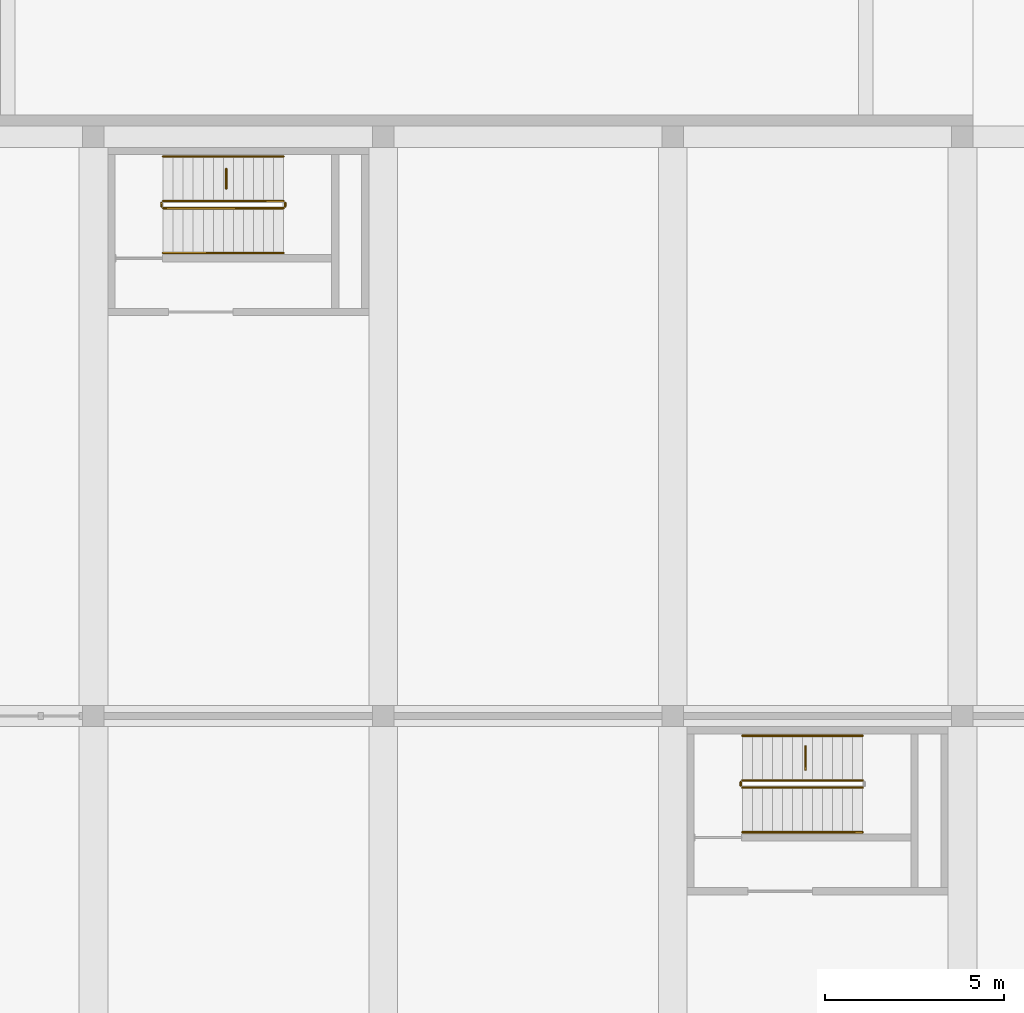
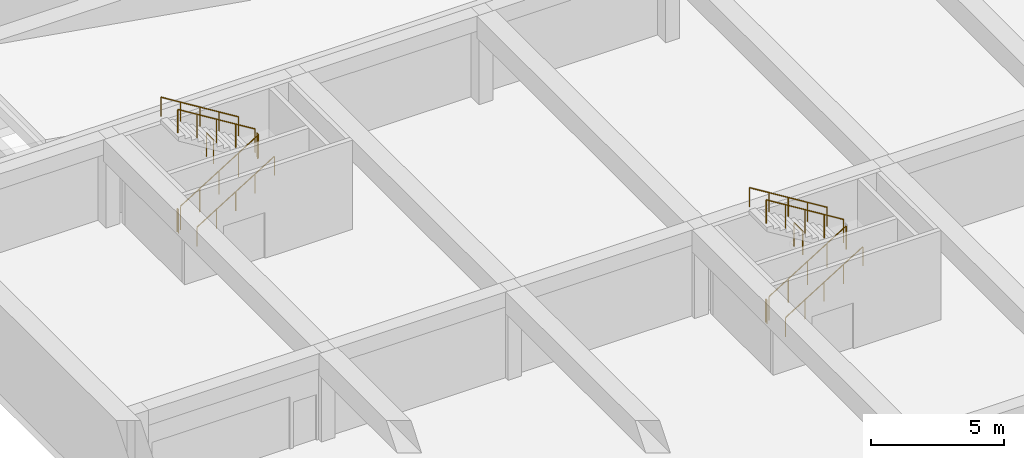
# One storey, part 16 of 21: 13 railings.
"""IFC4 building model written with IfcOpenShell, lengths in metres."""

from ifc_helpers import new_model, si_unit, direction, frame, origin, origin_2d, place, context, subcontext, project, spatial, circle, extrude, material, type_object, element, save


model = new_model("IFC4")

# Units and contexts
model_context = context("Model", 3, precision=1e-05, world=origin(), true_north=direction((0.0, 1.0)))
body_context = subcontext(model_context, "Body", "Model", "MODEL_VIEW")
ifc_project = project(units=[si_unit("LENGTHUNIT", "METRE"), si_unit("AREAUNIT", "SQUARE_METRE"), si_unit("VOLUMEUNIT", "CUBIC_METRE"), si_unit("PLANEANGLEUNIT", "RADIAN"), si_unit("MASSUNIT", "GRAM", prefix="KILO")], contexts=[model_context])

# Site, building, storey
site_placement = place(None, origin())
site = spatial("IfcSite", under=ifc_project, at=site_placement, CompositionType="ELEMENT")
building_placement = place(site_placement, origin())
building = spatial("IfcBuilding", under=site, at=building_placement, Name="Stone Belt Terrace Tower", CompositionType="ELEMENT")
storey_placement = place(building_placement, frame((0.0, 0.0, -9.0)))
storey = spatial("IfcBuildingStorey", under=building, at=storey_placement, Name="B2", CompositionType="ELEMENT", Elevation=-9.0)

# Railings
ifc_material_1 = material(Name="Structural steel C345", Category="steel")
railing_type_1 = type_object("IfcRailingType", Name="Car park guard 1100", PredefinedType="GUARDRAIL", material=ifc_material_1)
railing_1_placement = place(storey_placement, frame((-22.35009765625, -3.800048828125, 0.173095703125)))
element("IfcRailing", 1, at=railing_1_placement, inside=storey, type_object=railing_type_1, Name="B2 CS3 stair guard 1", PredefinedType="GUARDRAIL", context=body_context, shape_type="SweptSolid", body=[
    extrude(circle(Radius=0.02392578125, at=origin_2d()), frame((0.0, 0.0, 1.076171875), z_axis=(0.850623216509, 0.0, 0.525775754039), x_axis=(0.0, 1.0, 0.0)), (0.0, 0.0, 1.0), 3.9501953125),
    extrude(circle(Radius=0.02099609375, at=origin_2d()), origin(), (0.0, 0.0, 1.0), 1.052001953125),
    extrude(circle(Radius=0.02099609375, at=origin_2d()), frame((0.840087890625, 0.0, 0.519287109375)), (0.0, 0.0, 1.0), 1.052001953125),
    extrude(circle(Radius=0.02099609375, at=origin_2d()), frame((1.68017578125, 0.0, 1.03857421875)), (0.0, 0.0, 1.0), 1.052001953125),
    extrude(circle(Radius=0.02099609375, at=origin_2d()), frame((2.52001953125, 0.0, 1.5576171875)), (0.0, 0.0, 1.0), 1.052001953125),
    extrude(circle(Radius=0.02099609375, at=origin_2d()), frame((3.360107421875, 0.0, 2.076904296875)), (0.0, 0.0, 1.0), 1.052001953125),
])
railing_2_placement = place(storey_placement, frame((-18.93994140625, -3.75, 2.25)))
element("IfcRailing", 2, at=railing_2_placement, inside=storey, type_object=railing_type_1, Name="B2 CS3 stair guard 2", PredefinedType="GUARDRAIL", context=body_context, shape_type="SweptSolid", body=[
    extrude(circle(Radius=0.02392578125, at=origin_2d()), frame((0.0, 0.0, 1.076171875), z_axis=(0.0, 1.0, 0.0), x_axis=(-1.0, 0.0, 0.0)), (0.0, 0.0, 1.0), 0.10009765625),
    extrude(circle(Radius=0.02099609375, at=origin_2d()), origin(), (0.0, 0.0, 1.0), 1.052001953125),
    extrude(circle(Radius=0.02099609375, at=origin_2d()), frame((0.0, 0.10009765625, 0.0)), (0.0, 0.0, 1.0), 1.052001953125),
])
railing_3_placement = place(storey_placement, frame((-18.989990234375, -3.60009765625, 2.423095703125)))
element("IfcRailing", 3, at=railing_3_placement, inside=storey, type_object=railing_type_1, Name="B2 CS3 stair guard 3", PredefinedType="GUARDRAIL", context=body_context, shape_type="SweptSolid", body=[
    extrude(circle(Radius=0.02392578125, at=origin_2d()), frame((0.0, 0.0, 1.076171875), z_axis=(-0.850623216509, 0.0, 0.525775754039), x_axis=(0.0, -1.0, 0.0)), (0.0, 0.0, 1.0), 3.9501953125),
    extrude(circle(Radius=0.02099609375, at=origin_2d()), origin(), (0.0, 0.0, 1.0), 1.052001953125),
    extrude(circle(Radius=0.02099609375, at=origin_2d()), frame((-0.840087890625, 0.0, 0.519287109375)), (0.0, 0.0, 1.0), 1.052001953125),
    extrude(circle(Radius=0.02099609375, at=origin_2d()), frame((-1.68017578125, 0.0, 1.03857421875)), (0.0, 0.0, 1.0), 1.052001953125),
    extrude(circle(Radius=0.02099609375, at=origin_2d()), frame((-2.52001953125, 0.0, 1.5576171875)), (0.0, 0.0, 1.0), 1.052001953125),
    extrude(circle(Radius=0.02099609375, at=origin_2d()), frame((-3.360107421875, 0.0, 2.076904296875)), (0.0, 0.0, 1.0), 1.052001953125),
])
railing_4_placement = place(storey_placement, frame((-22.39990234375, -3.75, 0.0)))
element("IfcRailing", 4, at=railing_4_placement, inside=storey, type_object=railing_type_1, Name="B2 CS3 stair guard 4", PredefinedType="GUARDRAIL", context=body_context, shape_type="SweptSolid", body=[
    extrude(circle(Radius=0.02392578125, at=origin_2d()), frame((0.0, 0.0, 1.076171875), z_axis=(0.0, 1.0, 0.0), x_axis=(-1.0, 0.0, 0.0)), (0.0, 0.0, 1.0), 0.10009765625),
    extrude(circle(Radius=0.02099609375, at=origin_2d()), origin(), (0.0, 0.0, 1.0), 1.052001953125),
    extrude(circle(Radius=0.02099609375, at=origin_2d()), frame((0.0, 0.10009765625, 0.0)), (0.0, 0.0, 1.0), 1.052001953125),
])
railing_5_placement = place(storey_placement, frame((-6.14990234375, -20.0, 0.173095703125)))
element("IfcRailing", 5, at=railing_5_placement, inside=storey, type_object=railing_type_1, Name="B2 CS5 stair guard 1", PredefinedType="GUARDRAIL", context=body_context, shape_type="SweptSolid", body=[
    extrude(circle(Radius=0.02392578125, at=origin_2d()), frame((0.0, 0.0, 1.076171875), z_axis=(0.850606129759, 0.0, 0.525803396734), x_axis=(0.0, 1.0, 0.0)), (0.0, 0.0, 1.0), 3.949951171875),
    extrude(circle(Radius=0.02099609375, at=origin_2d()), origin(), (0.0, 0.0, 1.0), 1.052001953125),
    extrude(circle(Radius=0.02099609375, at=origin_2d()), frame((0.83984375, 0.0, 0.519287109375)), (0.0, 0.0, 1.0), 1.052001953125),
    extrude(circle(Radius=0.02099609375, at=origin_2d()), frame((1.679931640625, 0.0, 1.03857421875)), (0.0, 0.0, 1.0), 1.052001953125),
    extrude(circle(Radius=0.02099609375, at=origin_2d()), frame((2.52001953125, 0.0, 1.5576171875)), (0.0, 0.0, 1.0), 1.052001953125),
    extrude(circle(Radius=0.02099609375, at=origin_2d()), frame((3.35986328125, 0.0, 2.076904296875)), (0.0, 0.0, 1.0), 1.052001953125),
])
railing_6_placement = place(storey_placement, frame((-2.7900390625, -19.800048828125, 2.423095703125)))
element("IfcRailing", 6, at=railing_6_placement, inside=storey, type_object=railing_type_1, Name="B2 CS5 stair guard 3", PredefinedType="GUARDRAIL", context=body_context, shape_type="SweptSolid", body=[
    extrude(circle(Radius=0.02392578125, at=origin_2d()), frame((0.0, 0.0, 1.076171875), z_axis=(-0.850606129759, 0.0, 0.525803396734), x_axis=(0.0, -1.0, 0.0)), (0.0, 0.0, 1.0), 3.949951171875),
    extrude(circle(Radius=0.02099609375, at=origin_2d()), origin(), (0.0, 0.0, 1.0), 1.052001953125),
    extrude(circle(Radius=0.02099609375, at=origin_2d()), frame((-0.83984375, 0.0, 0.519287109375)), (0.0, 0.0, 1.0), 1.052001953125),
    extrude(circle(Radius=0.02099609375, at=origin_2d()), frame((-1.679931640625, 0.0, 1.03857421875)), (0.0, 0.0, 1.0), 1.052001953125),
    extrude(circle(Radius=0.02099609375, at=origin_2d()), frame((-2.52001953125, 0.0, 1.5576171875)), (0.0, 0.0, 1.0), 1.052001953125),
    extrude(circle(Radius=0.02099609375, at=origin_2d()), frame((-3.35986328125, 0.0, 2.076904296875)), (0.0, 0.0, 1.0), 1.052001953125),
])
railing_7_placement = place(storey_placement, frame((-6.199951171875, -19.949951171875, 0.0)))
element("IfcRailing", 7, at=railing_7_placement, inside=storey, type_object=railing_type_1, Name="B2 CS5 stair guard 4", PredefinedType="GUARDRAIL", context=body_context, shape_type="SweptSolid", body=[
    extrude(circle(Radius=0.02392578125, at=origin_2d()), frame((0.0, 0.0, 1.076171875), z_axis=(0.0, 1.0, 0.0), x_axis=(-1.0, 0.0, 0.0)), (0.0, 0.0, 1.0), 0.099853515625),
    extrude(circle(Radius=0.02099609375, at=origin_2d()), origin(), (0.0, 0.0, 1.0), 1.052001953125),
    extrude(circle(Radius=0.02099609375, at=origin_2d()), frame((0.0, 0.099853515625, 0.0)), (0.0, 0.0, 1.0), 1.052001953125),
])
railing_8_placement = place(storey_placement, frame((-4.389892578125, -19.5, 2.25)))
element("IfcRailing", 8, at=railing_8_placement, inside=storey, type_object=railing_type_1, Name="Car park stair landing guard", PredefinedType="GUARDRAIL", context=body_context, shape_type="SweptSolid", body=[
    extrude(circle(Radius=0.02392578125, at=origin_2d()), frame((0.0, 0.0, 1.076171875), z_axis=(0.0, 1.0, 0.0), x_axis=(-1.0, 0.0, 0.0)), (0.0, 0.0, 1.0), 0.64990234375),
    extrude(circle(Radius=0.02099609375, at=origin_2d()), origin(), (0.0, 0.0, 1.0), 1.052001953125),
    extrude(circle(Radius=0.02099609375, at=origin_2d()), frame((0.0, 0.64990234375, 0.0)), (0.0, 0.0, 1.0), 1.052001953125),
])
railing_9_placement = place(storey_placement, frame((-20.590087890625, -3.25, 2.25)))
element("IfcRailing", 9, at=railing_9_placement, inside=storey, type_object=railing_type_1, Name="Car park stair landing guard", PredefinedType="GUARDRAIL", context=body_context, shape_type="SweptSolid", body=[
    extrude(circle(Radius=0.02392578125, at=origin_2d()), frame((0.0, 0.0, 1.076171875), z_axis=(0.0, 1.0, 0.0), x_axis=(-1.0, 0.0, 0.0)), (0.0, 0.0, 1.0), 0.550048828125),
    extrude(circle(Radius=0.02099609375, at=origin_2d()), origin(), (0.0, 0.0, 1.0), 1.052001953125),
    extrude(circle(Radius=0.02099609375, at=origin_2d()), frame((0.0, 0.550048828125, 0.0)), (0.0, 0.0, 1.0), 1.052001953125),
])
ifc_material_2 = material(Name="Stainless steel", Category="steel")
railing_type_2 = type_object("IfcRailingType", Name="Car park handrail 900", PredefinedType="HANDRAIL", material=ifc_material_2)
railing_10_placement = place(storey_placement, frame((-22.35009765625, -5.050048828125, 0.173095703125)))
element("IfcRailing", 10, at=railing_10_placement, inside=storey, type_object=railing_type_2, Name="B2 CS3 stair handrail 1", PredefinedType="HANDRAIL", context=body_context, shape_type="SweptSolid", body=[
    extrude(circle(Radius=0.02392578125, at=origin_2d()), frame((0.0, 0.0, 0.8759765625), z_axis=(0.850623216509, 0.0, 0.525775754039), x_axis=(0.0, 1.0, 0.0)), (0.0, 0.0, 1.0), 3.9501953125),
    extrude(circle(Radius=0.02099609375, at=origin_2d()), origin(), (0.0, 0.0, 1.0), 0.851806640625),
    extrude(circle(Radius=0.02099609375, at=origin_2d()), frame((0.840087890625, 0.0, 0.519287109375)), (0.0, 0.0, 1.0), 0.851806640625),
    extrude(circle(Radius=0.02099609375, at=origin_2d()), frame((1.68017578125, 0.0, 1.03857421875)), (0.0, 0.0, 1.0), 0.851806640625),
    extrude(circle(Radius=0.02099609375, at=origin_2d()), frame((2.52001953125, 0.0, 1.5576171875)), (0.0, 0.0, 1.0), 0.851806640625),
    extrude(circle(Radius=0.02099609375, at=origin_2d()), frame((3.360107421875, 0.0, 2.076904296875)), (0.0, 0.0, 1.0), 0.851806640625),
])
railing_11_placement = place(storey_placement, frame((-18.989990234375, -2.35009765625, 2.423095703125)))
element("IfcRailing", 11, at=railing_11_placement, inside=storey, type_object=railing_type_2, Name="B2 CS3 stair handrail 2", PredefinedType="HANDRAIL", context=body_context, shape_type="SweptSolid", body=[
    extrude(circle(Radius=0.02392578125, at=origin_2d()), frame((0.0, 0.0, 0.8759765625), z_axis=(-0.850623216509, 0.0, 0.525775754039), x_axis=(0.0, -1.0, 0.0)), (0.0, 0.0, 1.0), 3.9501953125),
    extrude(circle(Radius=0.02099609375, at=origin_2d()), origin(), (0.0, 0.0, 1.0), 0.851806640625),
    extrude(circle(Radius=0.02099609375, at=origin_2d()), frame((-0.840087890625, 0.0, 0.519287109375)), (0.0, 0.0, 1.0), 0.851806640625),
    extrude(circle(Radius=0.02099609375, at=origin_2d()), frame((-1.68017578125, 0.0, 1.03857421875)), (0.0, 0.0, 1.0), 0.851806640625),
    extrude(circle(Radius=0.02099609375, at=origin_2d()), frame((-2.52001953125, 0.0, 1.5576171875)), (0.0, 0.0, 1.0), 0.851806640625),
    extrude(circle(Radius=0.02099609375, at=origin_2d()), frame((-3.360107421875, 0.0, 2.076904296875)), (0.0, 0.0, 1.0), 0.851806640625),
])
railing_12_placement = place(storey_placement, frame((-6.14990234375, -21.25, 0.173095703125)))
element("IfcRailing", 12, at=railing_12_placement, inside=storey, type_object=railing_type_2, Name="B2 CS5 stair handrail 1", PredefinedType="HANDRAIL", context=body_context, shape_type="SweptSolid", body=[
    extrude(circle(Radius=0.02392578125, at=origin_2d()), frame((0.0, 0.0, 0.8759765625), z_axis=(0.850606129759, 0.0, 0.525803396734), x_axis=(0.0, 1.0, 0.0)), (0.0, 0.0, 1.0), 3.949951171875),
    extrude(circle(Radius=0.02099609375, at=origin_2d()), origin(), (0.0, 0.0, 1.0), 0.851806640625),
    extrude(circle(Radius=0.02099609375, at=origin_2d()), frame((0.83984375, 0.0, 0.519287109375)), (0.0, 0.0, 1.0), 0.851806640625),
    extrude(circle(Radius=0.02099609375, at=origin_2d()), frame((1.679931640625, 0.0, 1.03857421875)), (0.0, 0.0, 1.0), 0.851806640625),
    extrude(circle(Radius=0.02099609375, at=origin_2d()), frame((2.52001953125, 0.0, 1.5576171875)), (0.0, 0.0, 1.0), 0.851806640625),
    extrude(circle(Radius=0.02099609375, at=origin_2d()), frame((3.35986328125, 0.0, 2.076904296875)), (0.0, 0.0, 1.0), 0.851806640625),
])
railing_13_placement = place(storey_placement, frame((-2.7900390625, -18.550048828125, 2.423095703125)))
element("IfcRailing", 13, at=railing_13_placement, inside=storey, type_object=railing_type_2, Name="B2 CS5 stair handrail 2", PredefinedType="HANDRAIL", context=body_context, shape_type="SweptSolid", body=[
    extrude(circle(Radius=0.02392578125, at=origin_2d()), frame((0.0, 0.0, 0.8759765625), z_axis=(-0.850606129759, 0.0, 0.525803396734), x_axis=(0.0, -1.0, 0.0)), (0.0, 0.0, 1.0), 3.949951171875),
    extrude(circle(Radius=0.02099609375, at=origin_2d()), origin(), (0.0, 0.0, 1.0), 0.851806640625),
    extrude(circle(Radius=0.02099609375, at=origin_2d()), frame((-0.83984375, 0.0, 0.519287109375)), (0.0, 0.0, 1.0), 0.851806640625),
    extrude(circle(Radius=0.02099609375, at=origin_2d()), frame((-1.679931640625, 0.0, 1.03857421875)), (0.0, 0.0, 1.0), 0.851806640625),
    extrude(circle(Radius=0.02099609375, at=origin_2d()), frame((-2.52001953125, 0.0, 1.5576171875)), (0.0, 0.0, 1.0), 0.851806640625),
    extrude(circle(Radius=0.02099609375, at=origin_2d()), frame((-3.35986328125, 0.0, 2.076904296875)), (0.0, 0.0, 1.0), 0.851806640625),
])

save(model, "model.ifc")
